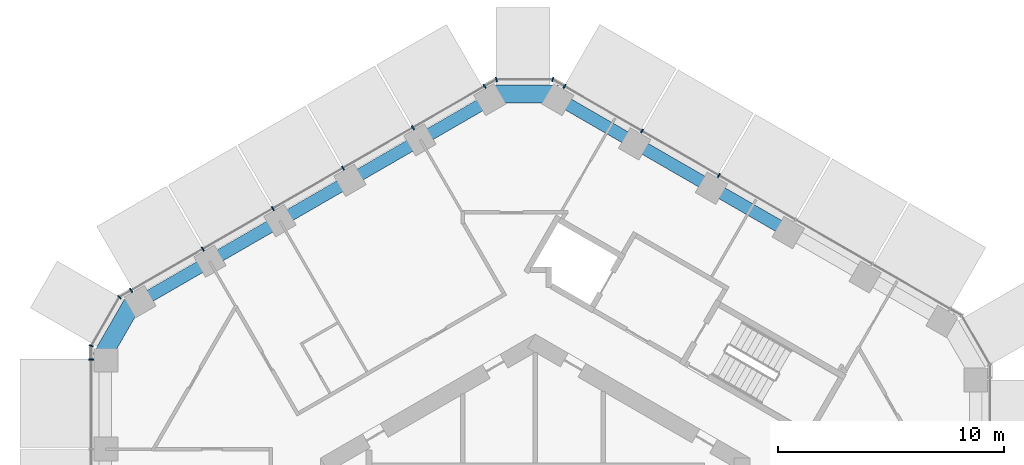
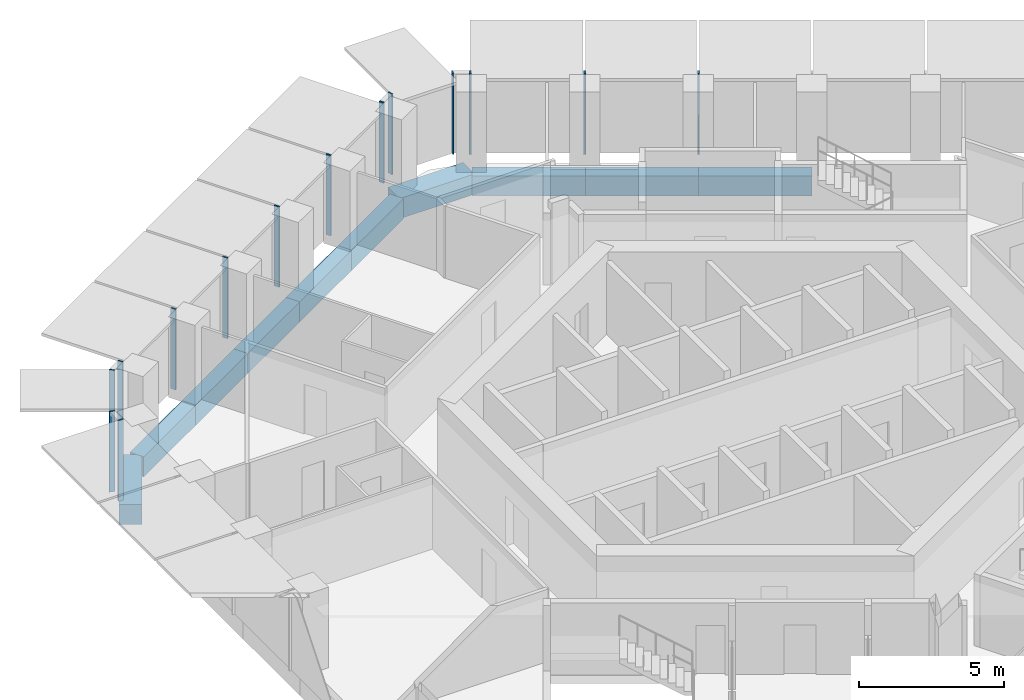
# One storey, part 5 of 18: 14 members, 10 beams, 5 elements without a shape of their own.
"""IFC4 building model written with IfcOpenShell, lengths in metres."""

from ifc_helpers import new_model, si_unit, direction, frame, origin, origin_2d, place, context, subcontext, project, spatial, rectangle, extrude, material, layer, layer_set, material_profile, profile_set, type_object, element, aggregate, save


model = new_model("IFC4")

# Units and contexts
model_context = context("Model", 3, precision=1e-05, world=origin(), true_north=direction((0.0, 1.0)))
body_context = subcontext(model_context, "Body", "Model", "MODEL_VIEW")
ifc_project = project(units=[si_unit("LENGTHUNIT", "METRE"), si_unit("AREAUNIT", "SQUARE_METRE"), si_unit("VOLUMEUNIT", "CUBIC_METRE"), si_unit("PLANEANGLEUNIT", "RADIAN"), si_unit("MASSUNIT", "GRAM", prefix="KILO")], contexts=[model_context])

# Site, building, storey
site_placement = place(None, origin())
site = spatial("IfcSite", under=ifc_project, at=site_placement, CompositionType="ELEMENT")
building_placement = place(site_placement, origin())
building = spatial("IfcBuilding", under=site, at=building_placement, Name="Ayvan Gate Tower", CompositionType="ELEMENT")
storey_placement = place(building_placement, frame((0.0, 0.0, 110.300048828125)))
storey = spatial("IfcBuildingStorey", under=building, at=storey_placement, Name="L29", CompositionType="ELEMENT", Elevation=110.300048828125)

# Beams
ifc_material_1 = material(Name="Concrete C40/50", Category="concrete")
ifc_material_profile_1 = material_profile(ifc_material_1, rectangle(XDim=0.800048828125, YDim=0.85009765625, at=origin_2d()), Name="RC 800x850")
ifc_profile_set_1 = profile_set([ifc_material_profile_1], Name="Concrete C40/50")
beam_type_1 = type_object("IfcBeamType", Name="Corner spandrel beam RC 800x850 C40/50", PredefinedType="BEAM", material=ifc_profile_set_1)
for number, where, z_axis, x_axis, name in (
    (1, (1.038818359375, 21.587646484375, -0.775146484375), (-1.0, 0.0, 0.0), (0.0, -1.0, 0.0), "SB-L29-12"),
    (2, (-17.71484375, 12.492431640625, -0.775146484375), (-0.499990139034, -0.866031096941, 0.0), (0.866031096941, -0.499990139034, 0.0), "SB-L29-18"),
):
    element("IfcBeam", number, at=place(storey_placement, frame(where, z_axis=z_axis, x_axis=x_axis)), inside=storey, type_object=beam_type_1, Name=name, PredefinedType="BEAM", context=body_context, shape_type="SweptSolid", body=[
        extrude(rectangle(XDim=0.800048828125, YDim=0.85009765625, at=origin_2d()), origin(), (0.0, 0.0, 1.0), 3.0),
    ])
ifc_material_profile_2 = material_profile(ifc_material_1, rectangle(XDim=0.550048828125, YDim=0.85009765625, at=origin_2d()), Name="RC 550x850")
ifc_profile_set_2 = profile_set([ifc_material_profile_2], Name="Concrete C40/50")
beam_type_2 = type_object("IfcBeamType", Name="Spandrel beam RC 550x850 C40/50", PredefinedType="BEAM", material=ifc_profile_set_2)
beam_1_placement = place(storey_placement, frame((11.206787109375, 15.4970703125, -0.775146484375), z_axis=(-0.866034960037, 0.49998344772, 0.0), x_axis=(-0.49998344772, -0.866034960037, 0.0)))
element("IfcBeam", 3, at=beam_1_placement, inside=storey, type_object=beam_type_2, Name="SB-L29-9", PredefinedType="BEAM", context=body_context, shape_type="SweptSolid", body=[
    extrude(rectangle(XDim=0.550048828125, YDim=0.85009765625, at=origin_2d()), origin(), (0.0, 0.0, 1.0), 3.913818359375),
])
beam_2_placement = place(storey_placement, frame((7.8173828125, 17.453857421875, -0.775146484375), z_axis=(-0.865992350556, 0.500057245502, 0.0), x_axis=(-0.500057245502, -0.865992350556, 0.0)))
element("IfcBeam", 4, at=beam_2_placement, inside=storey, type_object=beam_type_2, Name="SB-L29-10", PredefinedType="BEAM", context=body_context, shape_type="SweptSolid", body=[
    extrude(rectangle(XDim=0.550048828125, YDim=0.85009765625, at=origin_2d()), origin(), (0.0, 0.0, 1.0), 3.91357421875),
])
beam_3_placement = place(storey_placement, frame((4.42822265625, 19.410888671875, -0.775146484375), z_axis=(-0.866034960037, 0.49998344772, 0.0), x_axis=(-0.49998344772, -0.866034960037, 0.0)))
element("IfcBeam", 5, at=beam_3_placement, inside=storey, type_object=beam_type_2, Name="SB-L29-11", PredefinedType="BEAM", context=body_context, shape_type="SweptSolid", body=[
    extrude(rectangle(XDim=0.550048828125, YDim=0.85009765625, at=origin_2d()), origin(), (0.0, 0.0, 1.0), 3.913818359375),
])
beam_4_placement = place(storey_placement, frame((-1.961181640625, 21.36767578125, -0.775146484375), z_axis=(-0.866031754707, -0.499988999718, 0.0), x_axis=(0.499988999718, -0.866031754707, 0.0)))
element("IfcBeam", 6, at=beam_4_placement, inside=storey, type_object=beam_type_2, Name="SB-L29-13", PredefinedType="BEAM", context=body_context, shape_type="SweptSolid", body=[
    extrude(rectangle(XDim=0.550048828125, YDim=0.85009765625, at=origin_2d()), origin(), (0.0, 0.0, 1.0), 3.59423828125),
])
for number, where, z_axis, x_axis, name in (
    (7, (-5.073974609375, 19.570556640625, -0.775146484375), (-0.866014772941, -0.500018412708, 0.0), (0.500018412708, -0.866014772941, 0.0), "SB-L29-14"),
    (8, (-8.1865234375, 17.7734375, -0.775146484375), (-0.866044186874, -0.499967465322, 0.0), (0.499967465322, -0.866044186874, 0.0), "SB-L29-15"),
    (9, (-11.299072265625, 15.9765625, -0.775146484375), (-0.866014772941, -0.500018412708, 0.0), (0.500018412708, -0.866014772941, 0.0), "SB-L29-16"),
):
    element("IfcBeam", number, at=place(storey_placement, frame(where, z_axis=z_axis, x_axis=x_axis)), inside=storey, type_object=beam_type_2, Name=name, PredefinedType="BEAM", context=body_context, shape_type="SweptSolid", body=[
        extrude(rectangle(XDim=0.550048828125, YDim=0.85009765625, at=origin_2d()), origin(), (0.0, 0.0, 1.0), 3.593994140625),
    ])
beam_5_placement = place(storey_placement, frame((-14.41162109375, 14.179443359375, -0.775146484375), z_axis=(-0.866031754707, -0.499988999718, 0.0), x_axis=(0.499988999718, -0.866031754707, 0.0)))
element("IfcBeam", 10, at=beam_5_placement, inside=storey, type_object=beam_type_2, Name="SB-L29-17", PredefinedType="BEAM", context=body_context, shape_type="SweptSolid", body=[
    extrude(rectangle(XDim=0.550048828125, YDim=0.85009765625, at=origin_2d()), origin(), (0.0, 0.0, 1.0), 3.59423828125),
])

# Curtain wall, members
ifc_material_2 = material(Name="Bronze anodised aluminium", Category="aluminium")
ifc_layer_1 = layer(ifc_material_2, 0.199951171875)
ifc_layer_set_1 = layer_set([ifc_layer_1], Name="Bronze anodised aluminium")
curtain_wall_type_1 = type_object("IfcCurtainWallType", Name="Stick curtain wall CW-1", PredefinedType="NOTDEFINED", material=ifc_layer_set_1)
curtain_wall_1_placement = place(storey_placement, origin())
curtain_wall_1 = element("IfcCurtainWall", 11, at=curtain_wall_1_placement, inside=storey, type_object=curtain_wall_type_1, Name="Stick curtain wall CW-1 L29", PredefinedType="NOTDEFINED")
ifc_material_profile_3 = material_profile(ifc_material_2, rectangle(XDim=0.199951171875, YDim=0.06005859375, at=origin_2d()), Name="Stick curtain wall CW-1 mullion 200 x 60")
ifc_profile_set_3 = profile_set([ifc_material_profile_3], Name="Bronze anodised aluminium")
member_type_1 = type_object("IfcMemberType", Name="Stick curtain wall CW-1 mullion 200 x 60", PredefinedType="MULLION", material=ifc_profile_set_3)
member_1_placement = place(storey_placement, frame((-2.241943359375, 21.92724609375, 0.0), z_axis=(0.0, 0.0, 1.0), x_axis=(-0.5, 0.866025403784, 0.0)))
member_1 = element("IfcMember", 12, at=member_1_placement, type_object=member_type_1, Name="CW-1 mullion 1", PredefinedType="MULLION", context=body_context, shape_type="SweptSolid", body=[
    extrude(rectangle(XDim=0.199951171875, YDim=0.06005859375, at=origin_2d()), origin(), (0.0, 0.0, 1.0), 3.39990234375),
])
member_2_placement = place(storey_placement, frame((-5.41259765625, 20.0966796875, 0.0), z_axis=(0.0, 0.0, 1.0), x_axis=(-0.5, 0.866025403784, 0.0)))
member_2 = element("IfcMember", 13, at=member_2_placement, type_object=member_type_1, Name="CW-1 mullion 2", PredefinedType="MULLION", context=body_context, shape_type="SweptSolid", body=[
    extrude(rectangle(XDim=0.199951171875, YDim=0.06005859375, at=origin_2d()), origin(), (0.0, 0.0, 1.0), 3.39990234375),
])
member_3_placement = place(storey_placement, frame((-8.5078125, 18.309814453125, 0.0), z_axis=(0.0, 0.0, 1.0), x_axis=(-0.5, 0.866025403784, 0.0)))
member_3 = element("IfcMember", 14, at=member_3_placement, type_object=member_type_1, Name="CW-1 mullion 3", PredefinedType="MULLION", context=body_context, shape_type="SweptSolid", body=[
    extrude(rectangle(XDim=0.199951171875, YDim=0.06005859375, at=origin_2d()), origin(), (0.0, 0.0, 1.0), 3.39990234375),
])
member_4_placement = place(storey_placement, frame((-11.602783203125, 16.522705078125, 0.0), z_axis=(0.0, 0.0, 1.0), x_axis=(-0.5, 0.866025403784, 0.0)))
member_4 = element("IfcMember", 15, at=member_4_placement, type_object=member_type_1, Name="CW-1 mullion 4", PredefinedType="MULLION", context=body_context, shape_type="SweptSolid", body=[
    extrude(rectangle(XDim=0.199951171875, YDim=0.06005859375, at=origin_2d()), origin(), (0.0, 0.0, 1.0), 3.39990234375),
])
member_5_placement = place(storey_placement, frame((-14.697998046875, 14.73583984375, 0.0), z_axis=(0.0, 0.0, 1.0), x_axis=(-0.5, 0.866025403784, 0.0)))
member_5 = element("IfcMember", 16, at=member_5_placement, type_object=member_type_1, Name="CW-1 mullion 5", PredefinedType="MULLION", context=body_context, shape_type="SweptSolid", body=[
    extrude(rectangle(XDim=0.199951171875, YDim=0.06005859375, at=origin_2d()), origin(), (0.0, 0.0, 1.0), 3.39990234375),
])
member_6_placement = place(storey_placement, frame((-17.86865234375, 12.9052734375, 0.0), z_axis=(0.0, 0.0, 1.0), x_axis=(-0.5, 0.866025403784, 0.0)))
member_6 = element("IfcMember", 17, at=member_6_placement, type_object=member_type_1, Name="CW-1 mullion 6", PredefinedType="MULLION", context=body_context, shape_type="SweptSolid", body=[
    extrude(rectangle(XDim=0.199951171875, YDim=0.06005859375, at=origin_2d()), origin(), (0.0, 0.0, 1.0), 3.39990234375),
])
aggregate(curtain_wall_1, [member_1, member_2, member_3, member_4, member_5, member_6])

# Curtain wall, member
curtain_wall_2_placement = place(storey_placement, origin())
curtain_wall_2 = element("IfcCurtainWall", 18, at=curtain_wall_2_placement, inside=storey, type_object=curtain_wall_type_1, Name="Stick curtain wall CW-1 L29", PredefinedType="NOTDEFINED")
member_7_placement = place(storey_placement, frame((-19.6357421875, 9.84423828125, 0.0), z_axis=(0.0, 0.0, 1.0), x_axis=(-1.0, 0.0, 0.0)))
member_7 = element("IfcMember", 19, at=member_7_placement, type_object=member_type_1, Name="CW-1 mullion 1", PredefinedType="MULLION", context=body_context, shape_type="SweptSolid", body=[
    extrude(rectangle(XDim=0.199951171875, YDim=0.06005859375, at=origin_2d()), origin(), (0.0, 0.0, 1.0), 3.39990234375),
])
aggregate(curtain_wall_2, [member_7])

# Curtain wall, members
curtain_wall_3_placement = place(storey_placement, origin())
curtain_wall_3 = element("IfcCurtainWall", 20, at=curtain_wall_3_placement, inside=storey, type_object=curtain_wall_type_1, Name="Stick curtain wall CW-1 L29", PredefinedType="NOTDEFINED")
member_8_placement = place(storey_placement, frame((8.119140625, 17.98583984375, 0.0), z_axis=(0.0, 0.0, 1.0), x_axis=(0.5, 0.866025403784, 0.0)))
member_8 = element("IfcMember", 21, at=member_8_placement, type_object=member_type_1, Name="CW-1 mullion 4", PredefinedType="MULLION", context=body_context, shape_type="SweptSolid", body=[
    extrude(rectangle(XDim=0.199951171875, YDim=0.06005859375, at=origin_2d()), origin(), (0.0, 0.0, 1.0), 3.39990234375),
])
member_9_placement = place(storey_placement, frame((4.720703125, 19.947998046875, 0.0), z_axis=(0.0, 0.0, 1.0), x_axis=(0.5, 0.866025403784, 0.0)))
member_9 = element("IfcMember", 22, at=member_9_placement, type_object=member_type_1, Name="CW-1 mullion 5", PredefinedType="MULLION", context=body_context, shape_type="SweptSolid", body=[
    extrude(rectangle(XDim=0.199951171875, YDim=0.06005859375, at=origin_2d()), origin(), (0.0, 0.0, 1.0), 3.39990234375),
])
member_10_placement = place(storey_placement, frame((1.29248046875, 21.92724609375, 0.0), z_axis=(0.0, 0.0, 1.0), x_axis=(0.5, 0.866025403784, 0.0)))
member_10 = element("IfcMember", 23, at=member_10_placement, type_object=member_type_1, Name="CW-1 mullion 6", PredefinedType="MULLION", context=body_context, shape_type="SweptSolid", body=[
    extrude(rectangle(XDim=0.199951171875, YDim=0.06005859375, at=origin_2d()), origin(), (0.0, 0.0, 1.0), 3.39990234375),
])
aggregate(curtain_wall_3, [member_8, member_9, member_10])

ifc_layer_2 = layer(ifc_material_2, 0.199951171875)
ifc_layer_set_2 = layer_set([ifc_layer_2], Name="Bronze anodised aluminium")
curtain_wall_type_2 = type_object("IfcCurtainWallType", Name="Stick curtain wall CW-6", PredefinedType="NOTDEFINED", material=ifc_layer_set_2)
curtain_wall_4_placement = place(storey_placement, origin())
curtain_wall_4 = element("IfcCurtainWall", 24, at=curtain_wall_4_placement, inside=storey, type_object=curtain_wall_type_2, Name="Stick curtain wall CW-6 L29", PredefinedType="NOTDEFINED")
ifc_material_profile_4 = material_profile(ifc_material_2, rectangle(XDim=0.199951171875, YDim=0.050048828125, at=origin_2d()), Name="Stick curtain wall CW-6 mullion 200 x 50")
ifc_profile_set_4 = profile_set([ifc_material_profile_4], Name="Bronze anodised aluminium")
member_type_2 = type_object("IfcMemberType", Name="Stick curtain wall CW-6 mullion 200 x 50", PredefinedType="MULLION", material=ifc_profile_set_4)
member_11_placement = place(storey_placement, frame((-18.392578125, 12.602783203125, 0.0), z_axis=(0.0, 0.0, 1.0), x_axis=(-0.707106781187, 0.707106781187, 0.0)))
member_11 = element("IfcMember", 25, at=member_11_placement, type_object=member_type_2, Name="CW-6 mullion 2", PredefinedType="MULLION", context=body_context, shape_type="SweptSolid", body=[
    extrude(rectangle(XDim=0.199951171875, YDim=0.050048828125, at=origin_2d()), origin(), (0.0, 0.0, 1.0), 3.39990234375),
])
member_12_placement = place(storey_placement, frame((-19.6357421875, 10.449462890625, 0.0), z_axis=(0.0, 0.0, 1.0), x_axis=(-0.965925826289, 0.258819045103, 0.0)))
member_12 = element("IfcMember", 26, at=member_12_placement, type_object=member_type_2, Name="CW-6 mullion 3", PredefinedType="MULLION", context=body_context, shape_type="SweptSolid", body=[
    extrude(rectangle(XDim=0.199951171875, YDim=0.050048828125, at=origin_2d()), origin(), (0.0, 0.0, 1.0), 3.39990234375),
])
aggregate(curtain_wall_4, [member_11, member_12])

curtain_wall_5_placement = place(storey_placement, origin())
curtain_wall_5 = element("IfcCurtainWall", 27, at=curtain_wall_5_placement, inside=storey, type_object=curtain_wall_type_2, Name="Stick curtain wall CW-6 L29", PredefinedType="NOTDEFINED")
member_13_placement = place(storey_placement, frame((0.7685546875, 22.229736328125, 0.0), z_axis=(0.0, 0.0, 1.0), x_axis=(0.258819045103, 0.965925826289, 0.0)))
member_13 = element("IfcMember", 28, at=member_13_placement, type_object=member_type_2, Name="CW-6 mullion 2", PredefinedType="MULLION", context=body_context, shape_type="SweptSolid", body=[
    extrude(rectangle(XDim=0.199951171875, YDim=0.050048828125, at=origin_2d()), origin(), (0.0, 0.0, 1.0), 3.39990234375),
])
member_14_placement = place(storey_placement, frame((-1.718017578125, 22.229736328125, 0.0), z_axis=(0.0, 0.0, 1.0), x_axis=(-0.258819045103, 0.965925826289, 0.0)))
member_14 = element("IfcMember", 29, at=member_14_placement, type_object=member_type_2, Name="CW-6 mullion 3", PredefinedType="MULLION", context=body_context, shape_type="SweptSolid", body=[
    extrude(rectangle(XDim=0.199951171875, YDim=0.050048828125, at=origin_2d()), origin(), (0.0, 0.0, 1.0), 3.39990234375),
])
aggregate(curtain_wall_5, [member_13, member_14])

save(model, "model.ifc")
